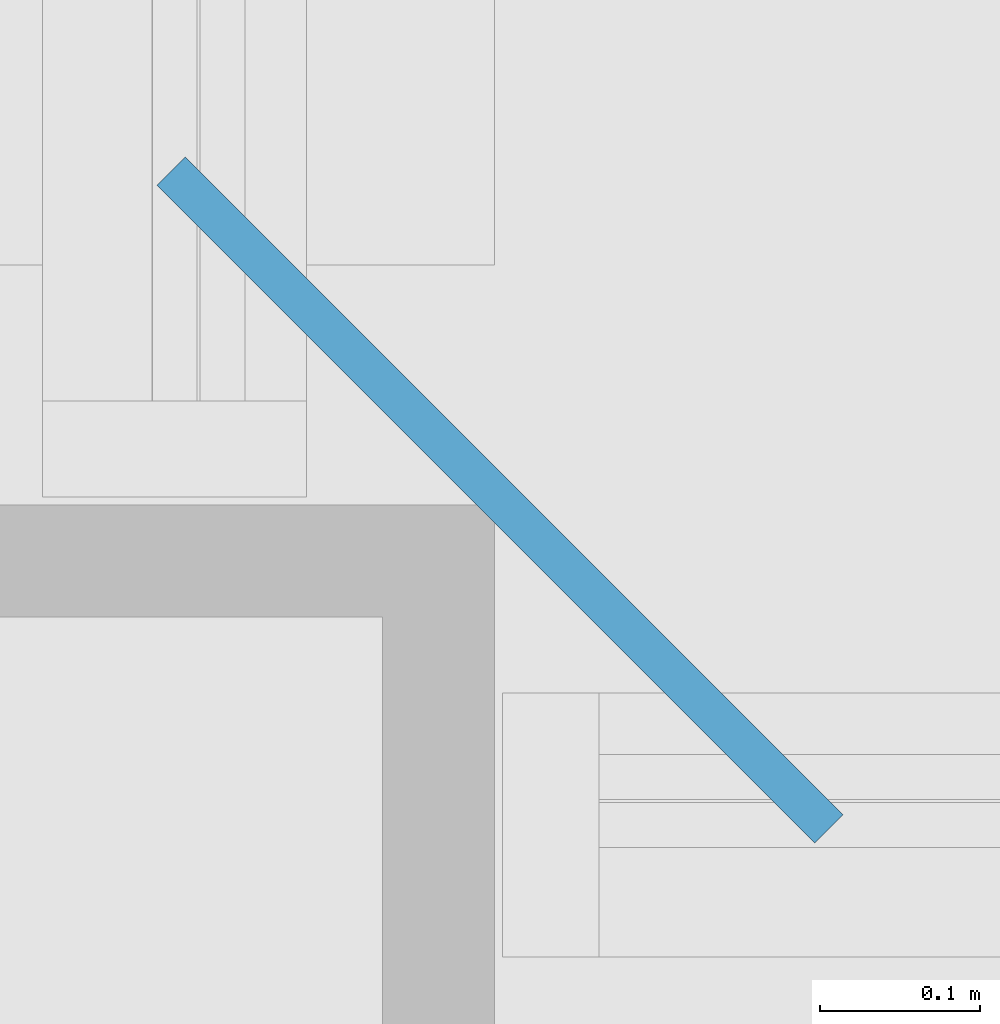
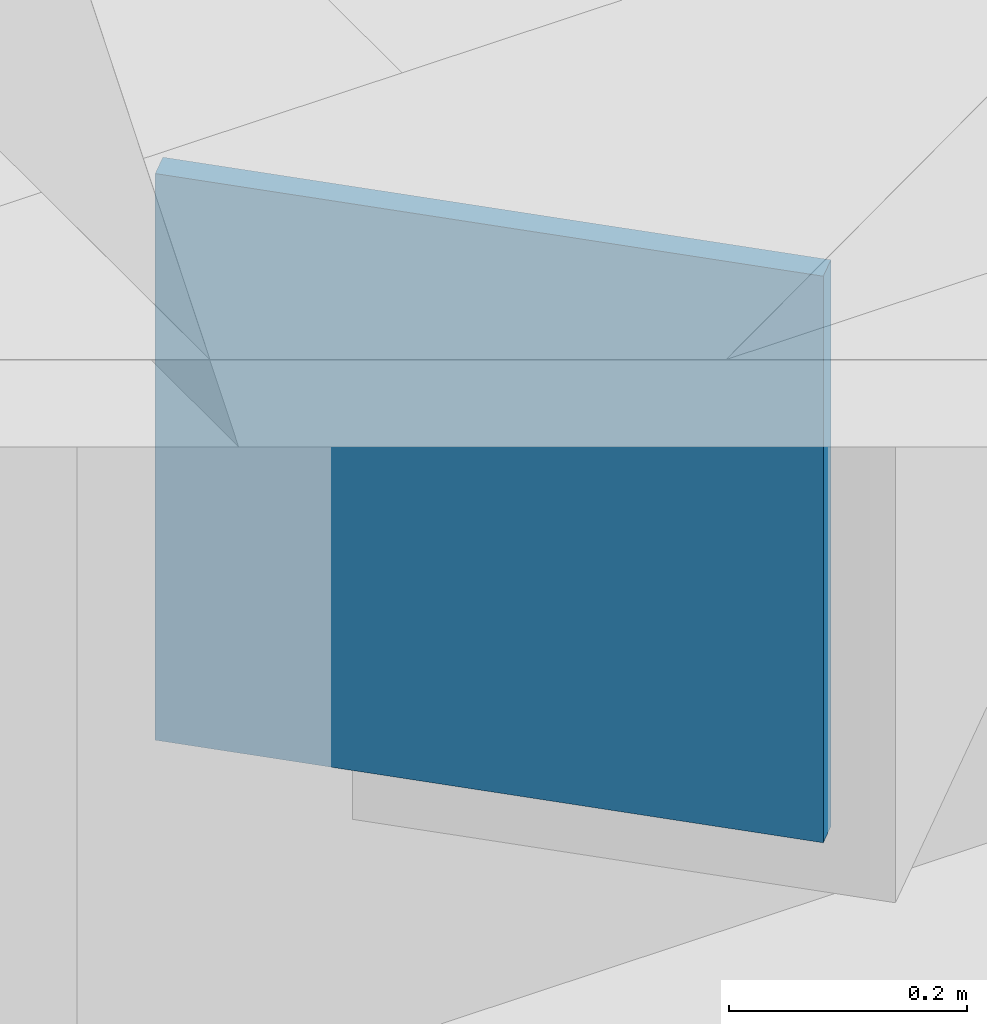
# One storey, part 17 of 29: 1 plate.
"""IFC4 building model written with IfcOpenShell, lengths in metres."""

from ifc_helpers import new_model, si_unit, direction, frame, origin, origin_2d, place, context, subcontext, project, spatial, rectangle, extrude, material, layer, layer_set, type_object, element, save


model = new_model("IFC4")

# Units and contexts
model_context = context("Model", 3, precision=1e-05, world=origin(), true_north=direction((0.0, 1.0)))
body_context = subcontext(model_context, "Body", "Model", "MODEL_VIEW")
ifc_project = project(units=[si_unit("LENGTHUNIT", "METRE"), si_unit("AREAUNIT", "SQUARE_METRE"), si_unit("VOLUMEUNIT", "CUBIC_METRE"), si_unit("PLANEANGLEUNIT", "RADIAN"), si_unit("MASSUNIT", "GRAM", prefix="KILO")], contexts=[model_context])

# Site, building, storey
site_placement = place(None, origin())
site = spatial("IfcSite", under=ifc_project, at=site_placement, CompositionType="ELEMENT")
building_placement = place(site_placement, origin())
building = spatial("IfcBuilding", under=site, at=building_placement, Name="Kopane Lantern Tower", CompositionType="ELEMENT")
storey_placement = place(building_placement, frame((0.0, 0.0, 165.0)))
storey = spatial("IfcBuildingStorey", under=building, at=storey_placement, Name="L42", CompositionType="ELEMENT", Elevation=165.0)

# Plate
ifc_material = material(Name="Steel S355JR", Category="steel")
ifc_layer = layer(ifc_material, 0.02490234375)
ifc_layer_set = layer_set([ifc_layer], Name="STEEL END CAP PLATE PL25")
plate_type = type_object("IfcPlateType", Name="STEEL END CAP PLATE PL25", PredefinedType="USERDEFINED", material=ifc_layer_set)
plate_placement = place(storey_placement, frame((4.4033203125, 15.203125, -0.890625), z_axis=(0.0, 0.0, 1.0), x_axis=(-0.707106781187, -0.707106781187, 0.0)))
element("IfcPlate", 1, at=plate_placement, inside=storey, type_object=plate_type, Name="Corner tie beam end cap plate L42", ObjectType="PLATE", PredefinedType="USERDEFINED", context=body_context, shape_type="SweptSolid", body=[
    extrude(rectangle(XDim=0.02490234375, YDim=0.5810546875, at=origin_2d()), origin(), (0.0, 0.0, 1.0), 0.5810546875),
])

save(model, "model.ifc")
